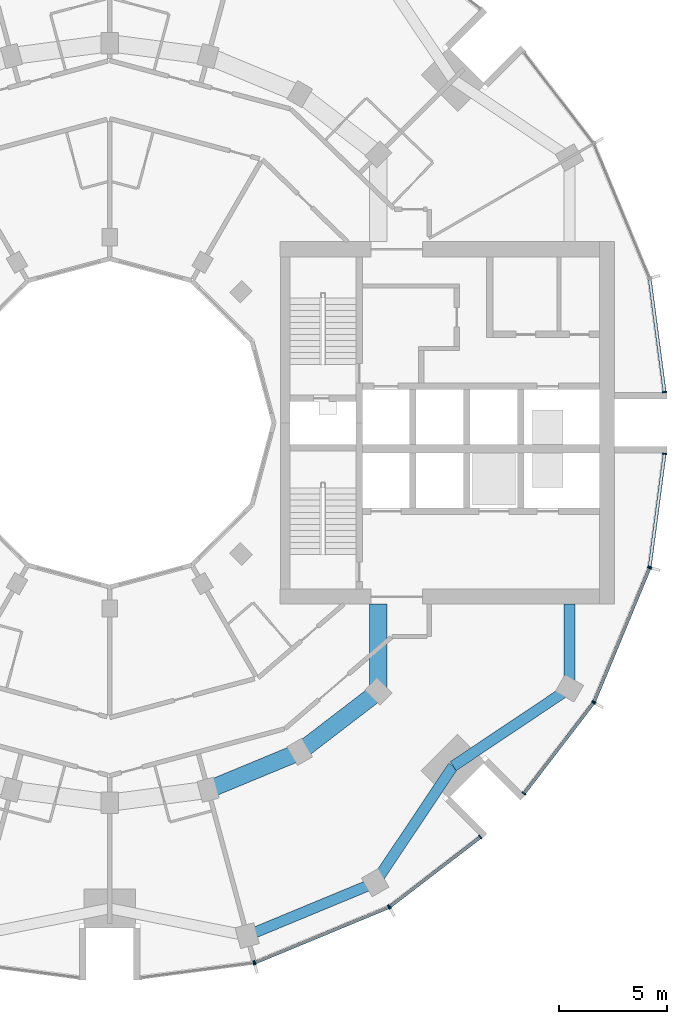
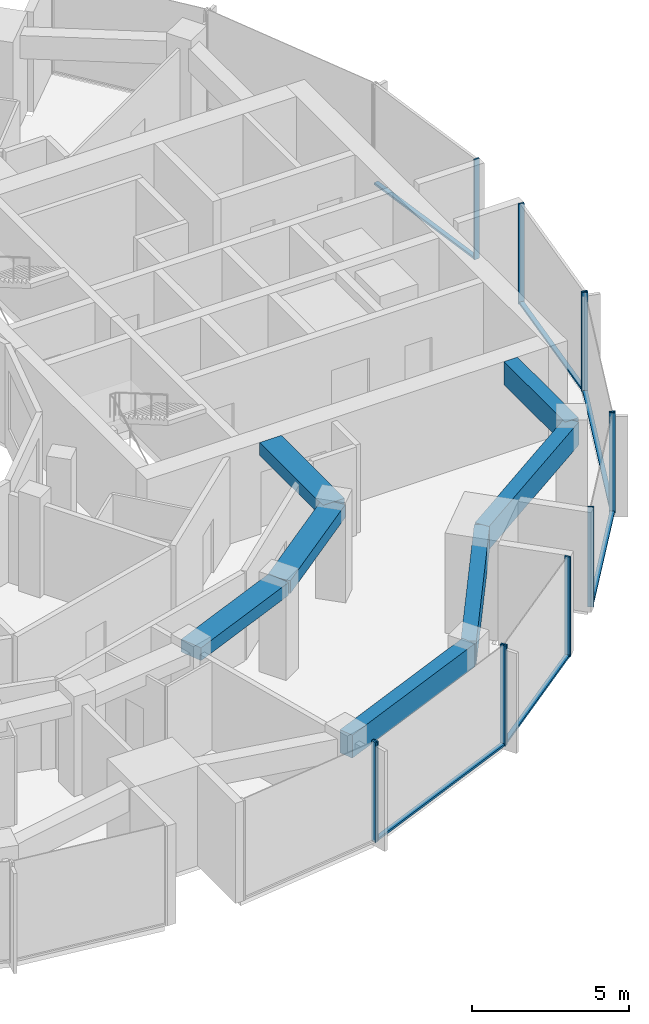
# One storey, part 4 of 15: 18 members, 7 beams, 7 elements without a shape of their own.
"""IFC4 building model written with IfcOpenShell, lengths in metres."""

from ifc_helpers import new_model, si_unit, direction, frame, origin, origin_2d, place, context, subcontext, project, spatial, rectangle, extrude, material, layer, layer_set, material_profile, profile_set, type_object, element, aggregate, save


model = new_model("IFC4")

# Units and contexts
model_context = context("Model", 3, precision=1e-05, world=origin(), true_north=direction((0.0, 1.0)))
body_context = subcontext(model_context, "Body", "Model", "MODEL_VIEW")
ifc_project = project(units=[si_unit("LENGTHUNIT", "METRE"), si_unit("AREAUNIT", "SQUARE_METRE"), si_unit("VOLUMEUNIT", "CUBIC_METRE"), si_unit("PLANEANGLEUNIT", "RADIAN"), si_unit("MASSUNIT", "GRAM", prefix="KILO")], contexts=[model_context])

# Site, building, storey
site_placement = place(None, origin())
site = spatial("IfcSite", under=ifc_project, at=site_placement, CompositionType="ELEMENT")
building_placement = place(site_placement, origin())
building = spatial("IfcBuilding", under=site, at=building_placement, Name="Torre Brocal", CompositionType="ELEMENT")
storey_placement = place(building_placement, frame((0.0, 0.0, 141.89990234375)))
storey = spatial("IfcBuildingStorey", under=building, at=storey_placement, Name="L33", CompositionType="ELEMENT", Elevation=141.89990234375)

# Curtain wall, member
ifc_material_1 = material(Name="Aluminium and glass", Category="aluminium")
ifc_layer_1 = layer(ifc_material_1, 0.199951171875)
ifc_layer_set_1 = layer_set([ifc_layer_1], Name="Aluminium and glass")
curtain_wall_type_1 = type_object("IfcCurtainWallType", Name="CW-1 CURTAIN WALL 3900 HIGH", PredefinedType="NOTDEFINED", material=ifc_layer_set_1)
curtain_wall_1_placement = place(storey_placement, origin())
curtain_wall_1 = element("IfcCurtainWall", 1, at=curtain_wall_1_placement, inside=storey, type_object=curtain_wall_type_1, Name="CW-1 RUN 19", PredefinedType="NOTDEFINED")
ifc_material_2 = material(Name="Aluminium, dark anodised", Category="aluminium")
ifc_material_profile_1 = material_profile(ifc_material_2, rectangle(XDim=0.199951171875, YDim=0.06005859375, at=origin_2d()), Name="CW-1 MULLION 60X200")
ifc_profile_set_1 = profile_set([ifc_material_profile_1], Name="Aluminium, dark anodised")
member_type_1 = type_object("IfcMemberType", Name="CW-1 MULLION 60X200", PredefinedType="MULLION", material=ifc_profile_set_1)
member_1_placement = place(storey_placement, frame((86.67333984375, 49.9794921875, 0.0), z_axis=(0.0, 0.0, 1.0), x_axis=(-0.13052619222, 0.991444861374, 0.0)))
member_1 = element("IfcMember", 2, at=member_1_placement, type_object=member_type_1, Name="CW1-3 mullion 2", PredefinedType="MULLION", context=body_context, shape_type="SweptSolid", body=[
    extrude(rectangle(XDim=0.199951171875, YDim=0.06005859375, at=origin_2d()), origin(), (0.0, 0.0, 1.0), 3.900146484375),
])
aggregate(curtain_wall_1, [member_1])

# Curtain wall, members
curtain_wall_2_placement = place(storey_placement, origin())
curtain_wall_2 = element("IfcCurtainWall", 3, at=curtain_wall_2_placement, inside=storey, type_object=curtain_wall_type_1, Name="CW-1 RUN 20", PredefinedType="NOTDEFINED")
member_2_placement = place(storey_placement, frame((86.73095703125, 49.994873046875, 0.0), z_axis=(0.0, 0.0, 1.0), x_axis=(-0.382683432333, 0.923879532525, 0.0)))
member_2 = element("IfcMember", 4, at=member_2_placement, type_object=member_type_1, Name="CW1-3 mullion 1", PredefinedType="MULLION", context=body_context, shape_type="SweptSolid", body=[
    extrude(rectangle(XDim=0.199951171875, YDim=0.06005859375, at=origin_2d()), origin(), (0.0, 0.0, 1.0), 3.900146484375),
])
member_3_placement = place(storey_placement, frame((92.921875, 52.559326171875, 0.0), z_axis=(0.0, 0.0, 1.0), x_axis=(-0.382683432333, 0.923879532525, 0.0)))
member_3 = element("IfcMember", 5, at=member_3_placement, type_object=member_type_1, Name="CW1-3 mullion 2", PredefinedType="MULLION", context=body_context, shape_type="SweptSolid", body=[
    extrude(rectangle(XDim=0.199951171875, YDim=0.06005859375, at=origin_2d()), origin(), (0.0, 0.0, 1.0), 3.900146484375),
])

curtain_wall_3_placement = place(storey_placement, origin())
curtain_wall_3 = element("IfcCurtainWall", 6, at=curtain_wall_3_placement, inside=storey, type_object=curtain_wall_type_1, Name="CW-1 RUN 21", PredefinedType="NOTDEFINED")
member_4_placement = place(storey_placement, frame((92.973388671875, 52.5888671875, 0.0), z_axis=(0.0, 0.0, 1.0), x_axis=(-0.60876142905, 0.793353340259, 0.0)))
member_4 = element("IfcMember", 7, at=member_4_placement, type_object=member_type_1, Name="CW1-3 mullion 1", PredefinedType="MULLION", context=body_context, shape_type="SweptSolid", body=[
    extrude(rectangle(XDim=0.199951171875, YDim=0.06005859375, at=origin_2d()), origin(), (0.0, 0.0, 1.0), 3.900146484375),
])
member_5_placement = place(storey_placement, frame((97.16943359375, 55.80859375, 0.0), z_axis=(0.0, 0.0, 1.0), x_axis=(-0.60876142905, 0.793353340259, 0.0)))
member_5 = element("IfcMember", 8, at=member_5_placement, type_object=member_type_1, Name="CW1-3 mullion 2", PredefinedType="MULLION", context=body_context, shape_type="SweptSolid", body=[
    extrude(rectangle(XDim=0.199951171875, YDim=0.06005859375, at=origin_2d()), origin(), (0.0, 0.0, 1.0), 3.900146484375),
])

curtain_wall_4_placement = place(storey_placement, origin())
curtain_wall_4 = element("IfcCurtainWall", 9, at=curtain_wall_4_placement, inside=storey, type_object=curtain_wall_type_1, Name="CW-1 RUN 22", PredefinedType="NOTDEFINED")
member_6_placement = place(storey_placement, frame((99.19140625, 57.83056640625, 0.0), z_axis=(0.0, 0.0, 1.0), x_axis=(-0.793353340259, 0.60876142905, 0.0)))
member_6 = element("IfcMember", 10, at=member_6_placement, type_object=member_type_1, Name="CW1-3 mullion 1", PredefinedType="MULLION", context=body_context, shape_type="SweptSolid", body=[
    extrude(rectangle(XDim=0.199951171875, YDim=0.06005859375, at=origin_2d()), origin(), (0.0, 0.0, 1.0), 3.900146484375),
])
member_7_placement = place(storey_placement, frame((102.4111328125, 62.026611328125, 0.0), z_axis=(0.0, 0.0, 1.0), x_axis=(-0.793353340259, 0.60876142905, 0.0)))
member_7 = element("IfcMember", 11, at=member_7_placement, type_object=member_type_1, Name="CW1-3 mullion 2", PredefinedType="MULLION", context=body_context, shape_type="SweptSolid", body=[
    extrude(rectangle(XDim=0.199951171875, YDim=0.06005859375, at=origin_2d()), origin(), (0.0, 0.0, 1.0), 3.900146484375),
])

curtain_wall_5_placement = place(storey_placement, origin())
curtain_wall_5 = element("IfcCurtainWall", 12, at=curtain_wall_5_placement, inside=storey, type_object=curtain_wall_type_1, Name="CW-1 RUN 23", PredefinedType="NOTDEFINED")
member_8_placement = place(storey_placement, frame((102.440673828125, 62.078125, 0.0), z_axis=(0.0, 0.0, 1.0), x_axis=(-0.923879532525, 0.382683432333, 0.0)))
member_8 = element("IfcMember", 13, at=member_8_placement, type_object=member_type_1, Name="CW1-3 mullion 1", PredefinedType="MULLION", context=body_context, shape_type="SweptSolid", body=[
    extrude(rectangle(XDim=0.199951171875, YDim=0.06005859375, at=origin_2d()), origin(), (0.0, 0.0, 1.0), 3.900146484375),
])
member_9_placement = place(storey_placement, frame((105.005126953125, 68.26904296875, 0.0), z_axis=(0.0, 0.0, 1.0), x_axis=(-0.923879532525, 0.382683432333, 0.0)))
member_9 = element("IfcMember", 14, at=member_9_placement, type_object=member_type_1, Name="CW1-3 mullion 2", PredefinedType="MULLION", context=body_context, shape_type="SweptSolid", body=[
    extrude(rectangle(XDim=0.199951171875, YDim=0.06005859375, at=origin_2d()), origin(), (0.0, 0.0, 1.0), 3.900146484375),
])

# Member
ifc_material_3 = material(Name="Aluminium, dark anodised", Category="aluminium")
ifc_material_profile_2 = material_profile(ifc_material_3, rectangle(XDim=0.159912109375, YDim=0.080078125, at=origin_2d()), Name="CW-1 TRANSOM 160X80")
ifc_profile_set_2 = profile_set([ifc_material_profile_2], Name="Aluminium, dark anodised")
member_type_2 = type_object("IfcMemberType", Name="CW-1 TRANSOM 160X80", PredefinedType="USERDEFINED", material=ifc_profile_set_2)
member_10_placement = place(storey_placement, frame((86.758544921875, 50.00634765625, 0.0400390625), z_axis=(0.923887344364, 0.38266457234, 0.0), x_axis=(-0.38266457234, 0.923887344364, 0.0)))
member_10 = element("IfcMember", 15, at=member_10_placement, type_object=member_type_2, Name="CW1-3 transom 1.1", ObjectType="TRANSOM", PredefinedType="USERDEFINED", context=body_context, shape_type="SweptSolid", body=[
    extrude(rectangle(XDim=0.159912109375, YDim=0.080078125, at=origin_2d()), origin(), (0.0, 0.0, 1.0), 6.640869140625),
])

aggregate(curtain_wall_2, [member_2, member_3, member_10])

member_11_placement = place(storey_placement, frame((92.9970703125, 52.607177734375, 0.0400390625), z_axis=(0.79336281513, 0.60874908096, 0.0), x_axis=(-0.60874908096, 0.79336281513, 0.0)))
member_11 = element("IfcMember", 16, at=member_11_placement, type_object=member_type_2, Name="CW1-3 transom 1.1", ObjectType="TRANSOM", PredefinedType="USERDEFINED", context=body_context, shape_type="SweptSolid", body=[
    extrude(rectangle(XDim=0.159912109375, YDim=0.080078125, at=origin_2d()), origin(), (0.0, 0.0, 1.0), 5.22900390625),
])

aggregate(curtain_wall_3, [member_4, member_5, member_11])

member_12_placement = place(storey_placement, frame((99.209716796875, 57.8544921875, 0.0400390625), z_axis=(0.60874908096, 0.79336281513, 0.0), x_axis=(-0.79336281513, 0.60874908096, 0.0)))
member_12 = element("IfcMember", 17, at=member_12_placement, type_object=member_type_2, Name="CW1-3 transom 1.1", ObjectType="TRANSOM", PredefinedType="USERDEFINED", context=body_context, shape_type="SweptSolid", body=[
    extrude(rectangle(XDim=0.159912109375, YDim=0.080078125, at=origin_2d()), origin(), (0.0, 0.0, 1.0), 5.22900390625),
])

aggregate(curtain_wall_4, [member_6, member_7, member_12])

member_13_placement = place(storey_placement, frame((102.452392578125, 62.10595703125, 0.0400390625), z_axis=(0.38266457234, 0.923887344364, 0.0), x_axis=(-0.923887344364, 0.38266457234, 0.0)))
member_13 = element("IfcMember", 18, at=member_13_placement, type_object=member_type_2, Name="CW1-3 transom 1.1", ObjectType="TRANSOM", PredefinedType="USERDEFINED", context=body_context, shape_type="SweptSolid", body=[
    extrude(rectangle(XDim=0.159912109375, YDim=0.080078125, at=origin_2d()), origin(), (0.0, 0.0, 1.0), 6.640869140625),
])

aggregate(curtain_wall_5, [member_8, member_9, member_13])

# Curtain wall, member
ifc_material_4 = material(Name="Aluminium and glass", Category="aluminium")
ifc_layer_2 = layer(ifc_material_4, 0.199951171875)
ifc_layer_set_2 = layer_set([ifc_layer_2], Name="Aluminium and glass")
curtain_wall_type_2 = type_object("IfcCurtainWallType", Name="CW-1B CURTAIN WALL 3900 HIGH", PredefinedType="NOTDEFINED", material=ifc_layer_set_2)
curtain_wall_6_placement = place(storey_placement, origin())
curtain_wall_6 = element("IfcCurtainWall", 19, at=curtain_wall_6_placement, inside=storey, type_object=curtain_wall_type_2, Name="CW-1B RUN 1", PredefinedType="NOTDEFINED")
ifc_material_5 = material(Name="Aluminium, dark anodised", Category="aluminium")
ifc_material_profile_3 = material_profile(ifc_material_5, rectangle(XDim=0.199951171875, YDim=0.06005859375, at=origin_2d()), Name="CW-1B MULLION 60X200")
ifc_profile_set_3 = profile_set([ifc_material_profile_3], Name="Aluminium, dark anodised")
member_type_3 = type_object("IfcMemberType", Name="CW-1B MULLION 60X200", PredefinedType="MULLION", material=ifc_profile_set_3)
member_14_placement = place(storey_placement, frame((105.7109375, 76.4296875, 0.0), z_axis=(0.0, 0.0, 1.0), x_axis=(-0.991444861374, -0.13052619222, 0.0)))
member_14 = element("IfcMember", 20, at=member_14_placement, type_object=member_type_3, Name="CW1B-3 mullion 1", PredefinedType="MULLION", context=body_context, shape_type="SweptSolid", body=[
    extrude(rectangle(XDim=0.199951171875, YDim=0.06005859375, at=origin_2d()), origin(), (0.0, 0.0, 1.0), 3.900146484375),
])

# Curtain wall, members
curtain_wall_7_placement = place(storey_placement, origin())
curtain_wall_7 = element("IfcCurtainWall", 21, at=curtain_wall_7_placement, inside=storey, type_object=curtain_wall_type_2, Name="CW-1B RUN 24", PredefinedType="NOTDEFINED")
member_15_placement = place(storey_placement, frame((105.0205078125, 68.32666015625, 0.0), z_axis=(0.0, 0.0, 1.0), x_axis=(-0.991444861374, 0.13052619222, 0.0)))
member_15 = element("IfcMember", 22, at=member_15_placement, type_object=member_type_3, Name="CW1B-3 mullion 1", PredefinedType="MULLION", context=body_context, shape_type="SweptSolid", body=[
    extrude(rectangle(XDim=0.199951171875, YDim=0.06005859375, at=origin_2d()), origin(), (0.0, 0.0, 1.0), 3.900146484375),
])
member_16_placement = place(storey_placement, frame((105.7109375, 73.5703125, 0.0), z_axis=(0.0, 0.0, 1.0), x_axis=(-0.991444861374, 0.13052619222, 0.0)))
member_16 = element("IfcMember", 23, at=member_16_placement, type_object=member_type_3, Name="CW1B-3 mullion 2", PredefinedType="MULLION", context=body_context, shape_type="SweptSolid", body=[
    extrude(rectangle(XDim=0.199951171875, YDim=0.06005859375, at=origin_2d()), origin(), (0.0, 0.0, 1.0), 3.900146484375),
])

# Member
ifc_material_6 = material(Name="Aluminium, dark anodised", Category="aluminium")
ifc_material_profile_4 = material_profile(ifc_material_6, rectangle(XDim=0.159912109375, YDim=0.080078125, at=origin_2d()), Name="CW-1B TRANSOM 160X80")
ifc_profile_set_4 = profile_set([ifc_material_profile_4], Name="Aluminium, dark anodised")
member_type_4 = type_object("IfcMemberType", Name="CW-1B TRANSOM 160X80", PredefinedType="USERDEFINED", material=ifc_profile_set_4)
member_17_placement = place(storey_placement, frame((105.70703125, 76.45947265625, 0.0400390625), z_axis=(-0.130542677827, 0.991442690863, 0.0), x_axis=(-0.991442690863, -0.130542677827, 0.0)))
member_17 = element("IfcMember", 24, at=member_17_placement, type_object=member_type_4, Name="CW1B-3 transom 1.1", ObjectType="TRANSOM", PredefinedType="USERDEFINED", context=body_context, shape_type="SweptSolid", body=[
    extrude(rectangle(XDim=0.159912109375, YDim=0.080078125, at=origin_2d()), origin(), (0.0, 0.0, 1.0), 5.22900390625),
])

aggregate(curtain_wall_6, [member_14, member_17])

member_18_placement = place(storey_placement, frame((105.0244140625, 68.356201171875, 0.0400390625), z_axis=(0.130542677827, 0.991442690863, 0.0), x_axis=(-0.991442690863, 0.130542677827, 0.0)))
member_18 = element("IfcMember", 25, at=member_18_placement, type_object=member_type_4, Name="CW1B-3 transom 1.1", ObjectType="TRANSOM", PredefinedType="USERDEFINED", context=body_context, shape_type="SweptSolid", body=[
    extrude(rectangle(XDim=0.159912109375, YDim=0.080078125, at=origin_2d()), origin(), (0.0, 0.0, 1.0), 5.22900390625),
])

aggregate(curtain_wall_7, [member_15, member_16, member_18])

# Beams
ifc_material_7 = material(Name="Concrete C50", Category="concrete")
ifc_material_profile_5 = material_profile(ifc_material_7, rectangle(XDim=0.800048828125, YDim=0.5, at=origin_2d()), Name="RC 800X500")
ifc_profile_set_5 = profile_set([ifc_material_profile_5], Name="Concrete C50")
beam_type_1 = type_object("IfcBeamType", Name="RC BEAM 800X500 C50 TOP 3580", PredefinedType="BEAM", material=ifc_profile_set_5)
beam_1_placement = place(storey_placement, frame((84.55517578125, 57.999755859375, 3.330078125), z_axis=(0.923878240166, 0.382686552348, 0.0), x_axis=(-0.382686552348, 0.923878240166, 0.0)))
element("IfcBeam", 26, at=beam_1_placement, inside=storey, type_object=beam_type_1, Name="Beam BT-28", PredefinedType="BEAM", context=body_context, shape_type="SweptSolid", body=[
    extrude(rectangle(XDim=0.800048828125, YDim=0.5, at=origin_2d()), origin(), (0.0, 0.0, 1.0), 4.5947265625),
])
beam_2_placement = place(storey_placement, frame((88.800048828125, 59.758056640625, 3.330078125), z_axis=(0.793358265959, 0.6087550097, 0.0), x_axis=(-0.6087550097, 0.793358265959, 0.0)))
element("IfcBeam", 27, at=beam_2_placement, inside=storey, type_object=beam_type_1, Name="Beam BT-28", PredefinedType="BEAM", context=body_context, shape_type="SweptSolid", body=[
    extrude(rectangle(XDim=0.800048828125, YDim=0.5, at=origin_2d()), origin(), (0.0, 0.0, 1.0), 4.594482421875),
])
beam_3_placement = place(storey_placement, frame((92.445068359375, 62.554931640625, 3.330078125), z_axis=(0.0, 1.0, 0.0), x_axis=(-1.0, 0.0, 0.0)))
element("IfcBeam", 28, at=beam_3_placement, inside=storey, type_object=beam_type_1, Name="Beam BT-28", PredefinedType="BEAM", context=body_context, shape_type="SweptSolid", body=[
    extrude(rectangle(XDim=0.800048828125, YDim=0.5, at=origin_2d()), origin(), (0.0, 0.0, 1.0), 4.045166015625),
])
ifc_material_8 = material(Name="Concrete C50", Category="concrete")
ifc_material_profile_6 = material_profile(ifc_material_8, rectangle(XDim=0.5, YDim=0.89990234375, at=origin_2d()), Name="RC 500X900")
ifc_profile_set_6 = profile_set([ifc_material_profile_6], Name="Concrete C50")
beam_type_2 = type_object("IfcBeamType", Name="RC SPANDREL BEAM 500X900 C50 TOP 3580", PredefinedType="SPANDREL", material=ifc_profile_set_6)
beam_4_placement = place(storey_placement, frame((86.366943359375, 51.23828125, 3.130126953125), z_axis=(0.923882462513, 0.382676358639, 0.0), x_axis=(-0.382676358639, 0.923882462513, 0.0)))
element("IfcBeam", 29, at=beam_4_placement, inside=storey, type_object=beam_type_2, Name="Beam BT-29", PredefinedType="SPANDREL", context=body_context, shape_type="SweptSolid", body=[
    extrude(rectangle(XDim=0.5, YDim=0.89990234375, at=origin_2d()), origin(), (0.0, 0.0, 1.0), 6.421875),
])
for number, where, z_axis, x_axis, name in (
    (30, (92.300048828125, 53.69580078125, 3.130126953125), (0.556157602282, 0.831076844476, 0.0), (-0.831076844476, 0.556157602282, 0.0), "Beam BT-29"),
    (31, (95.909912109375, 59.090087890625, 3.130126953125), (0.831076844476, 0.556157602282, 0.0), (-0.556157602282, 0.831076844476, 0.0), "Beam BT-29"),
):
    element("IfcBeam", number, at=place(storey_placement, frame(where, z_axis=z_axis, x_axis=x_axis)), inside=storey, type_object=beam_type_2, Name=name, PredefinedType="SPANDREL", context=body_context, shape_type="SweptSolid", body=[
        extrude(rectangle(XDim=0.5, YDim=0.89990234375, at=origin_2d()), origin(), (0.0, 0.0, 1.0), 6.49072265625),
    ])
beam_5_placement = place(storey_placement, frame((101.30419921875, 62.699951171875, 3.130126953125), z_axis=(0.0, 1.0, 0.0), x_axis=(-1.0, 0.0, 0.0)))
element("IfcBeam", 32, at=beam_5_placement, inside=storey, type_object=beam_type_2, Name="Beam BT-29", PredefinedType="SPANDREL", context=body_context, shape_type="SweptSolid", body=[
    extrude(rectangle(XDim=0.5, YDim=0.89990234375, at=origin_2d()), origin(), (0.0, 0.0, 1.0), 3.900146484375),
])

save(model, "model.ifc")
